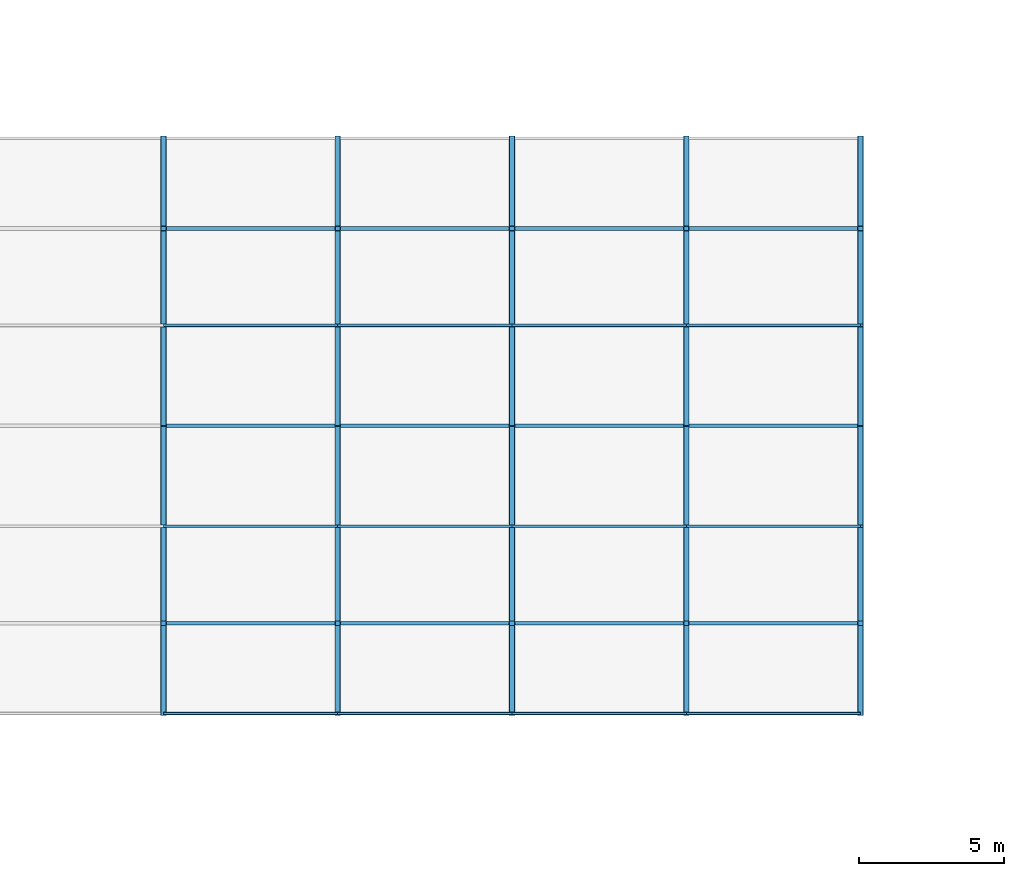
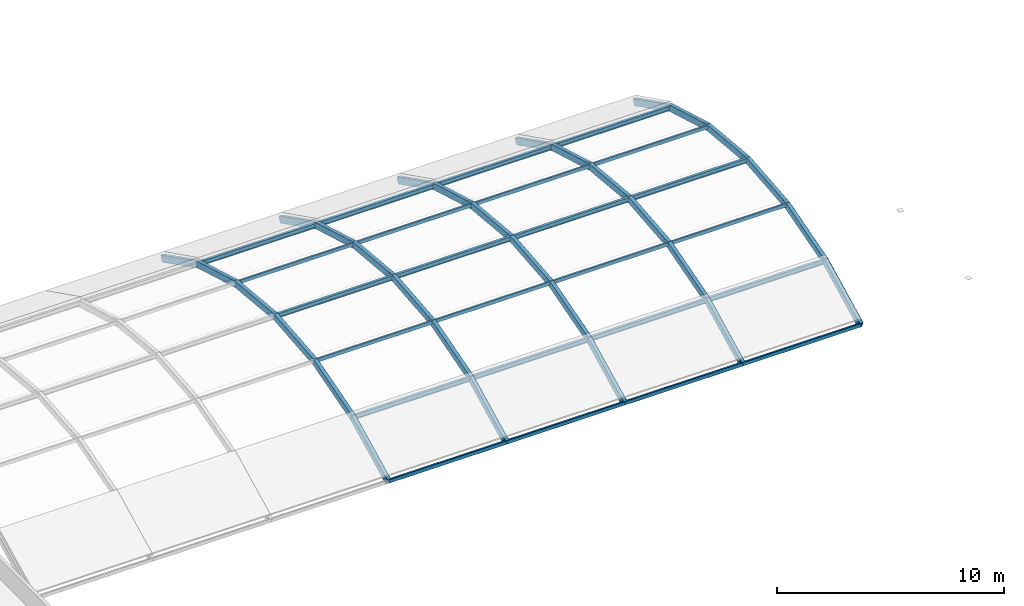
# One storey, part 30 of 84: 30 beams, 24 members.
"""IFC4 building model written with IfcOpenShell, lengths in metres."""

from ifc_helpers import new_model, si_unit, direction, frame, origin, origin_2d, place, context, subcontext, project, spatial, hollow_rectangle, i_section, extrude, material, material_profile, profile_set, type_object, element, save


model = new_model("IFC4")

# Units and contexts
model_context = context("Model", 3, precision=1e-05, world=origin(), true_north=direction((0.0, 1.0)))
body_context = subcontext(model_context, "Body", "Model", "MODEL_VIEW")
ifc_project = project(units=[si_unit("LENGTHUNIT", "METRE"), si_unit("AREAUNIT", "SQUARE_METRE"), si_unit("VOLUMEUNIT", "CUBIC_METRE"), si_unit("PLANEANGLEUNIT", "RADIAN"), si_unit("MASSUNIT", "GRAM", prefix="KILO")], contexts=[model_context])

# Site, building, storey
site_placement = place(None, origin())
site = spatial("IfcSite", under=ifc_project, at=site_placement, CompositionType="ELEMENT")
building_placement = place(site_placement, origin())
building = spatial("IfcBuilding", under=site, at=building_placement, Name="Varnakota Square Police Headquarters", CompositionType="ELEMENT")
storey_placement = place(building_placement, frame((0.0, 0.0, 13.5)))
storey = spatial("IfcBuildingStorey", under=building, at=storey_placement, Name="L03", CompositionType="ELEMENT", Elevation=13.5)

# Beams
ifc_material = material(Name="Steel IS 2062 Grade 350", Category="steel")
ifc_material_profile_1 = material_profile(ifc_material, hollow_rectangle(XDim=0.199951171875, YDim=0.35009765625, WallThickness=0.011962890625, InnerFilletRadius=0.011962890625, OuterFilletRadius=0.02392578125, at=origin_2d()), Name="RHS 350x200x12")
ifc_profile_set_1 = profile_set([ifc_material_profile_1], Name="Steel IS 2062 Grade 350")
beam_type = type_object("IfcBeamType", Name="BM-VR-RHS350", PredefinedType="BEAM", material=ifc_profile_set_1)
beam_1_placement = place(storey_placement, frame((72.0, 14.097900390625, 0.11328125), z_axis=(0.0, 0.892214040756, 0.451612782677), x_axis=(-1.0, 0.0, 0.0)))
element("IfcBeam", 1, at=beam_1_placement, inside=storey, type_object=beam_type, Name="Barrel vault arch rib chord VR-V1-R04-S03", PredefinedType="BEAM", context=body_context, shape_type="SweptSolid", body=[
    extrude(hollow_rectangle(XDim=0.199951171875, YDim=0.35009765625, WallThickness=0.011962890625, InnerFilletRadius=0.011962890625, OuterFilletRadius=0.02392578125, at=origin_2d()), origin(), (0.0, 0.0, 1.0), 3.48095703125),
])
beam_2_placement = place(storey_placement, frame((72.0, 17.20361328125, 1.685302734375), z_axis=(0.0, 0.96071126913, 0.277549738544), x_axis=(-1.0, 0.0, 0.0)))
element("IfcBeam", 2, at=beam_2_placement, inside=storey, type_object=beam_type, Name="Barrel vault arch rib chord VR-V1-R04-S04", PredefinedType="BEAM", context=body_context, shape_type="SweptSolid", body=[
    extrude(hollow_rectangle(XDim=0.199951171875, YDim=0.35009765625, WallThickness=0.011962890625, InnerFilletRadius=0.011962890625, OuterFilletRadius=0.02392578125, at=origin_2d()), origin(), (0.0, 0.0, 1.0), 3.475341796875),
])
for number, where, z_axis, x_axis, name in (
    (3, (72.0, 20.54248046875, 2.64990234375), (0.0, 0.995573175043, 0.093989643767), (-1.0, 0.0, 0.0), "Barrel vault arch rib chord VR-V1-R04-S05"),
    (4, (72.0, 24.0, 2.976318359375), (0.0, 0.995573175043, -0.093989643767), (-1.0, 0.0, 0.0), "Barrel vault arch rib chord VR-V1-R04-S06"),
):
    element("IfcBeam", number, at=place(storey_placement, frame(where, z_axis=z_axis, x_axis=x_axis)), inside=storey, type_object=beam_type, Name=name, PredefinedType="BEAM", context=body_context, shape_type="SweptSolid", body=[
        extrude(hollow_rectangle(XDim=0.199951171875, YDim=0.35009765625, WallThickness=0.011962890625, InnerFilletRadius=0.011962890625, OuterFilletRadius=0.02392578125, at=origin_2d()), origin(), (0.0, 0.0, 1.0), 3.472900390625),
    ])
beam_3_placement = place(storey_placement, frame((72.0, 27.45751953125, 2.64990234375), z_axis=(0.0, 0.96071126913, -0.277549738544), x_axis=(-1.0, 0.0, 0.0)))
element("IfcBeam", 5, at=beam_3_placement, inside=storey, type_object=beam_type, Name="Barrel vault arch rib chord VR-V1-R04-S07", PredefinedType="BEAM", context=body_context, shape_type="SweptSolid", body=[
    extrude(hollow_rectangle(XDim=0.199951171875, YDim=0.35009765625, WallThickness=0.011962890625, InnerFilletRadius=0.011962890625, OuterFilletRadius=0.02392578125, at=origin_2d()), origin(), (0.0, 0.0, 1.0), 3.475341796875),
])
for number, where, z_axis, x_axis, name in (
    (6, (72.0, 30.79638671875, 1.685302734375), (0.0, 0.892214040756, -0.451612782677), (-1.0, 0.0, 0.0), "Barrel vault arch rib chord VR-V1-R04-S08"),
    (7, (78.0, 14.097900390625, 0.11328125), (0.0, 0.892214040756, 0.451612782677), (-1.0, 0.0, 0.0), "Barrel vault arch rib chord VR-V1-R05-S03"),
):
    element("IfcBeam", number, at=place(storey_placement, frame(where, z_axis=z_axis, x_axis=x_axis)), inside=storey, type_object=beam_type, Name=name, PredefinedType="BEAM", context=body_context, shape_type="SweptSolid", body=[
        extrude(hollow_rectangle(XDim=0.199951171875, YDim=0.35009765625, WallThickness=0.011962890625, InnerFilletRadius=0.011962890625, OuterFilletRadius=0.02392578125, at=origin_2d()), origin(), (0.0, 0.0, 1.0), 3.48095703125),
    ])
beam_4_placement = place(storey_placement, frame((78.0, 17.20361328125, 1.685302734375), z_axis=(0.0, 0.96071126913, 0.277549738544), x_axis=(-1.0, 0.0, 0.0)))
element("IfcBeam", 8, at=beam_4_placement, inside=storey, type_object=beam_type, Name="Barrel vault arch rib chord VR-V1-R05-S04", PredefinedType="BEAM", context=body_context, shape_type="SweptSolid", body=[
    extrude(hollow_rectangle(XDim=0.199951171875, YDim=0.35009765625, WallThickness=0.011962890625, InnerFilletRadius=0.011962890625, OuterFilletRadius=0.02392578125, at=origin_2d()), origin(), (0.0, 0.0, 1.0), 3.475341796875),
])
for number, where, z_axis, x_axis, name in (
    (9, (78.0, 20.54248046875, 2.64990234375), (0.0, 0.995573175043, 0.093989643767), (-1.0, 0.0, 0.0), "Barrel vault arch rib chord VR-V1-R05-S05"),
    (10, (78.0, 24.0, 2.976318359375), (0.0, 0.995573175043, -0.093989643767), (-1.0, 0.0, 0.0), "Barrel vault arch rib chord VR-V1-R05-S06"),
):
    element("IfcBeam", number, at=place(storey_placement, frame(where, z_axis=z_axis, x_axis=x_axis)), inside=storey, type_object=beam_type, Name=name, PredefinedType="BEAM", context=body_context, shape_type="SweptSolid", body=[
        extrude(hollow_rectangle(XDim=0.199951171875, YDim=0.35009765625, WallThickness=0.011962890625, InnerFilletRadius=0.011962890625, OuterFilletRadius=0.02392578125, at=origin_2d()), origin(), (0.0, 0.0, 1.0), 3.472900390625),
    ])
beam_5_placement = place(storey_placement, frame((78.0, 27.45751953125, 2.64990234375), z_axis=(0.0, 0.96071126913, -0.277549738544), x_axis=(-1.0, 0.0, 0.0)))
element("IfcBeam", 11, at=beam_5_placement, inside=storey, type_object=beam_type, Name="Barrel vault arch rib chord VR-V1-R05-S07", PredefinedType="BEAM", context=body_context, shape_type="SweptSolid", body=[
    extrude(hollow_rectangle(XDim=0.199951171875, YDim=0.35009765625, WallThickness=0.011962890625, InnerFilletRadius=0.011962890625, OuterFilletRadius=0.02392578125, at=origin_2d()), origin(), (0.0, 0.0, 1.0), 3.475341796875),
])
for number, where, z_axis, x_axis, name in (
    (12, (78.0, 30.79638671875, 1.685302734375), (0.0, 0.892214040756, -0.451612782677), (-1.0, 0.0, 0.0), "Barrel vault arch rib chord VR-V1-R05-S08"),
    (13, (84.0, 14.097900390625, 0.11328125), (0.0, 0.892214040756, 0.451612782677), (-1.0, 0.0, 0.0), "Barrel vault arch rib chord VR-V1-R06-S03"),
):
    element("IfcBeam", number, at=place(storey_placement, frame(where, z_axis=z_axis, x_axis=x_axis)), inside=storey, type_object=beam_type, Name=name, PredefinedType="BEAM", context=body_context, shape_type="SweptSolid", body=[
        extrude(hollow_rectangle(XDim=0.199951171875, YDim=0.35009765625, WallThickness=0.011962890625, InnerFilletRadius=0.011962890625, OuterFilletRadius=0.02392578125, at=origin_2d()), origin(), (0.0, 0.0, 1.0), 3.48095703125),
    ])
beam_6_placement = place(storey_placement, frame((84.0, 17.20361328125, 1.685302734375), z_axis=(0.0, 0.96071126913, 0.277549738544), x_axis=(-1.0, 0.0, 0.0)))
element("IfcBeam", 14, at=beam_6_placement, inside=storey, type_object=beam_type, Name="Barrel vault arch rib chord VR-V1-R06-S04", PredefinedType="BEAM", context=body_context, shape_type="SweptSolid", body=[
    extrude(hollow_rectangle(XDim=0.199951171875, YDim=0.35009765625, WallThickness=0.011962890625, InnerFilletRadius=0.011962890625, OuterFilletRadius=0.02392578125, at=origin_2d()), origin(), (0.0, 0.0, 1.0), 3.475341796875),
])
for number, where, z_axis, x_axis, name in (
    (15, (84.0, 20.54248046875, 2.64990234375), (0.0, 0.995573175043, 0.093989643767), (-1.0, 0.0, 0.0), "Barrel vault arch rib chord VR-V1-R06-S05"),
    (16, (84.0, 24.0, 2.976318359375), (0.0, 0.995573175043, -0.093989643767), (-1.0, 0.0, 0.0), "Barrel vault arch rib chord VR-V1-R06-S06"),
):
    element("IfcBeam", number, at=place(storey_placement, frame(where, z_axis=z_axis, x_axis=x_axis)), inside=storey, type_object=beam_type, Name=name, PredefinedType="BEAM", context=body_context, shape_type="SweptSolid", body=[
        extrude(hollow_rectangle(XDim=0.199951171875, YDim=0.35009765625, WallThickness=0.011962890625, InnerFilletRadius=0.011962890625, OuterFilletRadius=0.02392578125, at=origin_2d()), origin(), (0.0, 0.0, 1.0), 3.472900390625),
    ])
beam_7_placement = place(storey_placement, frame((84.0, 27.45751953125, 2.64990234375), z_axis=(0.0, 0.96071126913, -0.277549738544), x_axis=(-1.0, 0.0, 0.0)))
element("IfcBeam", 17, at=beam_7_placement, inside=storey, type_object=beam_type, Name="Barrel vault arch rib chord VR-V1-R06-S07", PredefinedType="BEAM", context=body_context, shape_type="SweptSolid", body=[
    extrude(hollow_rectangle(XDim=0.199951171875, YDim=0.35009765625, WallThickness=0.011962890625, InnerFilletRadius=0.011962890625, OuterFilletRadius=0.02392578125, at=origin_2d()), origin(), (0.0, 0.0, 1.0), 3.475341796875),
])
for number, where, z_axis, x_axis, name in (
    (18, (84.0, 30.79638671875, 1.685302734375), (0.0, 0.892214040756, -0.451612782677), (-1.0, 0.0, 0.0), "Barrel vault arch rib chord VR-V1-R06-S08"),
    (19, (90.0, 14.097900390625, 0.11328125), (0.0, 0.892214040756, 0.451612782677), (-1.0, 0.0, 0.0), "Barrel vault arch rib chord VR-V1-R07-S03"),
):
    element("IfcBeam", number, at=place(storey_placement, frame(where, z_axis=z_axis, x_axis=x_axis)), inside=storey, type_object=beam_type, Name=name, PredefinedType="BEAM", context=body_context, shape_type="SweptSolid", body=[
        extrude(hollow_rectangle(XDim=0.199951171875, YDim=0.35009765625, WallThickness=0.011962890625, InnerFilletRadius=0.011962890625, OuterFilletRadius=0.02392578125, at=origin_2d()), origin(), (0.0, 0.0, 1.0), 3.48095703125),
    ])
beam_8_placement = place(storey_placement, frame((90.0, 17.20361328125, 1.685302734375), z_axis=(0.0, 0.96071126913, 0.277549738544), x_axis=(-1.0, 0.0, 0.0)))
element("IfcBeam", 20, at=beam_8_placement, inside=storey, type_object=beam_type, Name="Barrel vault arch rib chord VR-V1-R07-S04", PredefinedType="BEAM", context=body_context, shape_type="SweptSolid", body=[
    extrude(hollow_rectangle(XDim=0.199951171875, YDim=0.35009765625, WallThickness=0.011962890625, InnerFilletRadius=0.011962890625, OuterFilletRadius=0.02392578125, at=origin_2d()), origin(), (0.0, 0.0, 1.0), 3.475341796875),
])
for number, where, z_axis, x_axis, name in (
    (21, (90.0, 20.54248046875, 2.64990234375), (0.0, 0.995573175043, 0.093989643767), (-1.0, 0.0, 0.0), "Barrel vault arch rib chord VR-V1-R07-S05"),
    (22, (90.0, 24.0, 2.976318359375), (0.0, 0.995573175043, -0.093989643767), (-1.0, 0.0, 0.0), "Barrel vault arch rib chord VR-V1-R07-S06"),
):
    element("IfcBeam", number, at=place(storey_placement, frame(where, z_axis=z_axis, x_axis=x_axis)), inside=storey, type_object=beam_type, Name=name, PredefinedType="BEAM", context=body_context, shape_type="SweptSolid", body=[
        extrude(hollow_rectangle(XDim=0.199951171875, YDim=0.35009765625, WallThickness=0.011962890625, InnerFilletRadius=0.011962890625, OuterFilletRadius=0.02392578125, at=origin_2d()), origin(), (0.0, 0.0, 1.0), 3.472900390625),
    ])
beam_9_placement = place(storey_placement, frame((90.0, 27.45751953125, 2.64990234375), z_axis=(0.0, 0.96071126913, -0.277549738544), x_axis=(-1.0, 0.0, 0.0)))
element("IfcBeam", 23, at=beam_9_placement, inside=storey, type_object=beam_type, Name="Barrel vault arch rib chord VR-V1-R07-S07", PredefinedType="BEAM", context=body_context, shape_type="SweptSolid", body=[
    extrude(hollow_rectangle(XDim=0.199951171875, YDim=0.35009765625, WallThickness=0.011962890625, InnerFilletRadius=0.011962890625, OuterFilletRadius=0.02392578125, at=origin_2d()), origin(), (0.0, 0.0, 1.0), 3.475341796875),
])
for number, where, z_axis, x_axis, name in (
    (24, (90.0, 30.79638671875, 1.685302734375), (0.0, 0.892214040756, -0.451612782677), (-1.0, 0.0, 0.0), "Barrel vault arch rib chord VR-V1-R07-S08"),
    (25, (96.0, 14.097900390625, 0.11328125), (0.0, 0.892214040756, 0.451612782677), (-1.0, 0.0, 0.0), "Barrel vault arch rib chord VR-V1-R08-S03"),
):
    element("IfcBeam", number, at=place(storey_placement, frame(where, z_axis=z_axis, x_axis=x_axis)), inside=storey, type_object=beam_type, Name=name, PredefinedType="BEAM", context=body_context, shape_type="SweptSolid", body=[
        extrude(hollow_rectangle(XDim=0.199951171875, YDim=0.35009765625, WallThickness=0.011962890625, InnerFilletRadius=0.011962890625, OuterFilletRadius=0.02392578125, at=origin_2d()), origin(), (0.0, 0.0, 1.0), 3.48095703125),
    ])
beam_10_placement = place(storey_placement, frame((96.0, 17.20361328125, 1.685302734375), z_axis=(0.0, 0.96071126913, 0.277549738544), x_axis=(-1.0, 0.0, 0.0)))
element("IfcBeam", 26, at=beam_10_placement, inside=storey, type_object=beam_type, Name="Barrel vault arch rib chord VR-V1-R08-S04", PredefinedType="BEAM", context=body_context, shape_type="SweptSolid", body=[
    extrude(hollow_rectangle(XDim=0.199951171875, YDim=0.35009765625, WallThickness=0.011962890625, InnerFilletRadius=0.011962890625, OuterFilletRadius=0.02392578125, at=origin_2d()), origin(), (0.0, 0.0, 1.0), 3.475341796875),
])
for number, where, z_axis, x_axis, name in (
    (27, (96.0, 20.54248046875, 2.64990234375), (0.0, 0.995573175043, 0.093989643767), (-1.0, 0.0, 0.0), "Barrel vault arch rib chord VR-V1-R08-S05"),
    (28, (96.0, 24.0, 2.976318359375), (0.0, 0.995573175043, -0.093989643767), (-1.0, 0.0, 0.0), "Barrel vault arch rib chord VR-V1-R08-S06"),
):
    element("IfcBeam", number, at=place(storey_placement, frame(where, z_axis=z_axis, x_axis=x_axis)), inside=storey, type_object=beam_type, Name=name, PredefinedType="BEAM", context=body_context, shape_type="SweptSolid", body=[
        extrude(hollow_rectangle(XDim=0.199951171875, YDim=0.35009765625, WallThickness=0.011962890625, InnerFilletRadius=0.011962890625, OuterFilletRadius=0.02392578125, at=origin_2d()), origin(), (0.0, 0.0, 1.0), 3.472900390625),
    ])
beam_11_placement = place(storey_placement, frame((96.0, 27.45751953125, 2.64990234375), z_axis=(0.0, 0.96071126913, -0.277549738544), x_axis=(-1.0, 0.0, 0.0)))
element("IfcBeam", 29, at=beam_11_placement, inside=storey, type_object=beam_type, Name="Barrel vault arch rib chord VR-V1-R08-S07", PredefinedType="BEAM", context=body_context, shape_type="SweptSolid", body=[
    extrude(hollow_rectangle(XDim=0.199951171875, YDim=0.35009765625, WallThickness=0.011962890625, InnerFilletRadius=0.011962890625, OuterFilletRadius=0.02392578125, at=origin_2d()), origin(), (0.0, 0.0, 1.0), 3.475341796875),
])
beam_12_placement = place(storey_placement, frame((96.0, 30.79638671875, 1.685302734375), z_axis=(0.0, 0.892214040756, -0.451612782677), x_axis=(-1.0, 0.0, 0.0)))
element("IfcBeam", 30, at=beam_12_placement, inside=storey, type_object=beam_type, Name="Barrel vault arch rib chord VR-V1-R08-S08", PredefinedType="BEAM", context=body_context, shape_type="SweptSolid", body=[
    extrude(hollow_rectangle(XDim=0.199951171875, YDim=0.35009765625, WallThickness=0.011962890625, InnerFilletRadius=0.011962890625, OuterFilletRadius=0.02392578125, at=origin_2d()), origin(), (0.0, 0.0, 1.0), 3.48095703125),
])

# Members
ifc_material_profile_2 = material_profile(ifc_material, i_section(OverallWidth=0.125, OverallDepth=0.25, WebThickness=0.0068359375, FlangeThickness=0.012451171875, FilletRadius=0.012939453125, at=origin_2d()), Name="ISMB 250")
ifc_profile_set_2 = profile_set([ifc_material_profile_2], Name="Steel IS 2062 Grade 350")
member_type_1 = type_object("IfcMemberType", Name="MEM-PUR-ISMB250", PredefinedType="PURLIN", material=ifc_profile_set_2)
for number, where, z_axis, x_axis, name in (
    (31, (72.0, 17.20361328125, 1.697998046875), (1.0, 0.0, 0.0), (0.0, 1.0, 0.0), "Vault roof purlin V1-B04-N03"),
    (32, (72.0, 24.0, 3.0146484375), (1.0, 0.0, 0.0), (0.0, 1.0, 0.0), "Vault roof purlin V1-B04-N05"),
    (33, (72.0, 30.79638671875, 1.697998046875), (1.0, 0.0, 0.0), (0.0, 1.0, 0.0), "Vault roof purlin V1-B04-N07"),
    (34, (78.0, 17.20361328125, 1.697998046875), (1.0, 0.0, 0.0), (0.0, 1.0, 0.0), "Vault roof purlin V1-B05-N03"),
    (35, (78.0, 24.0, 3.0146484375), (1.0, 0.0, 0.0), (0.0, 1.0, 0.0), "Vault roof purlin V1-B05-N05"),
    (36, (78.0, 30.79638671875, 1.697998046875), (1.0, 0.0, 0.0), (0.0, 1.0, 0.0), "Vault roof purlin V1-B05-N07"),
    (37, (84.0, 17.20361328125, 1.697998046875), (1.0, 0.0, 0.0), (0.0, 1.0, 0.0), "Vault roof purlin V1-B06-N03"),
    (38, (84.0, 24.0, 3.0146484375), (1.0, 0.0, 0.0), (0.0, 1.0, 0.0), "Vault roof purlin V1-B06-N05"),
    (39, (84.0, 30.79638671875, 1.697998046875), (1.0, 0.0, 0.0), (0.0, 1.0, 0.0), "Vault roof purlin V1-B06-N07"),
    (40, (90.0, 17.20361328125, 1.697998046875), (1.0, 0.0, 0.0), (0.0, 1.0, 0.0), "Vault roof purlin V1-B07-N03"),
    (41, (90.0, 24.0, 3.0146484375), (1.0, 0.0, 0.0), (0.0, 1.0, 0.0), "Vault roof purlin V1-B07-N05"),
    (42, (90.0, 30.79638671875, 1.697998046875), (1.0, 0.0, 0.0), (0.0, 1.0, 0.0), "Vault roof purlin V1-B07-N07"),
):
    element("IfcMember", number, at=place(storey_placement, frame(where, z_axis=z_axis, x_axis=x_axis)), inside=storey, type_object=member_type_1, Name=name, PredefinedType="PURLIN", context=body_context, shape_type="SweptSolid", body=[
        extrude(i_section(OverallWidth=0.125, OverallDepth=0.25, WebThickness=0.0068359375, FlangeThickness=0.012451171875, FilletRadius=0.012939453125, at=origin_2d()), origin(), (0.0, 0.0, 1.0), 6.0),
    ])
ifc_material_profile_3 = material_profile(ifc_material, hollow_rectangle(XDim=0.10009765625, YDim=0.199951171875, WallThickness=0.008056640625, InnerFilletRadius=0.008056640625, OuterFilletRadius=0.01611328125, at=origin_2d()), Name="RHS 200x100x8")
ifc_profile_set_3 = profile_set([ifc_material_profile_3], Name="Steel IS 2062 Grade 350")
member_type_2 = type_object("IfcMemberType", Name="MEM-PUR-RHS200", PredefinedType="PURLIN", material=ifc_profile_set_3)
for number, where, z_axis, x_axis, name in (
    (43, (72.0, 14.097900390625, 0.144287109375), (1.0, 0.0, 0.0), (0.0, 1.0, 0.0), "Vault roof purlin V1-B04-N02"),
    (44, (72.0, 20.54248046875, 2.70458984375), (1.0, 0.0, 0.0), (0.0, 1.0, 0.0), "Vault roof purlin V1-B04-N04"),
    (45, (72.0, 27.45751953125, 2.70458984375), (1.0, 0.0, 0.0), (0.0, 1.0, 0.0), "Vault roof purlin V1-B04-N06"),
    (46, (78.0, 14.097900390625, 0.144287109375), (1.0, 0.0, 0.0), (0.0, 1.0, 0.0), "Vault roof purlin V1-B05-N02"),
    (47, (78.0, 20.54248046875, 2.70458984375), (1.0, 0.0, 0.0), (0.0, 1.0, 0.0), "Vault roof purlin V1-B05-N04"),
    (48, (78.0, 27.45751953125, 2.70458984375), (1.0, 0.0, 0.0), (0.0, 1.0, 0.0), "Vault roof purlin V1-B05-N06"),
    (49, (84.0, 14.097900390625, 0.144287109375), (1.0, 0.0, 0.0), (0.0, 1.0, 0.0), "Vault roof purlin V1-B06-N02"),
    (50, (84.0, 20.54248046875, 2.70458984375), (1.0, 0.0, 0.0), (0.0, 1.0, 0.0), "Vault roof purlin V1-B06-N04"),
    (51, (84.0, 27.45751953125, 2.70458984375), (1.0, 0.0, 0.0), (0.0, 1.0, 0.0), "Vault roof purlin V1-B06-N06"),
    (52, (90.0, 14.097900390625, 0.144287109375), (1.0, 0.0, 0.0), (0.0, 1.0, 0.0), "Vault roof purlin V1-B07-N02"),
    (53, (90.0, 20.54248046875, 2.70458984375), (1.0, 0.0, 0.0), (0.0, 1.0, 0.0), "Vault roof purlin V1-B07-N04"),
    (54, (90.0, 27.45751953125, 2.70458984375), (1.0, 0.0, 0.0), (0.0, 1.0, 0.0), "Vault roof purlin V1-B07-N06"),
):
    element("IfcMember", number, at=place(storey_placement, frame(where, z_axis=z_axis, x_axis=x_axis)), inside=storey, type_object=member_type_2, Name=name, PredefinedType="PURLIN", context=body_context, shape_type="SweptSolid", body=[
        extrude(hollow_rectangle(XDim=0.10009765625, YDim=0.199951171875, WallThickness=0.008056640625, InnerFilletRadius=0.008056640625, OuterFilletRadius=0.01611328125, at=origin_2d()), origin(), (0.0, 0.0, 1.0), 6.0),
    ])

save(model, "model.ifc")
